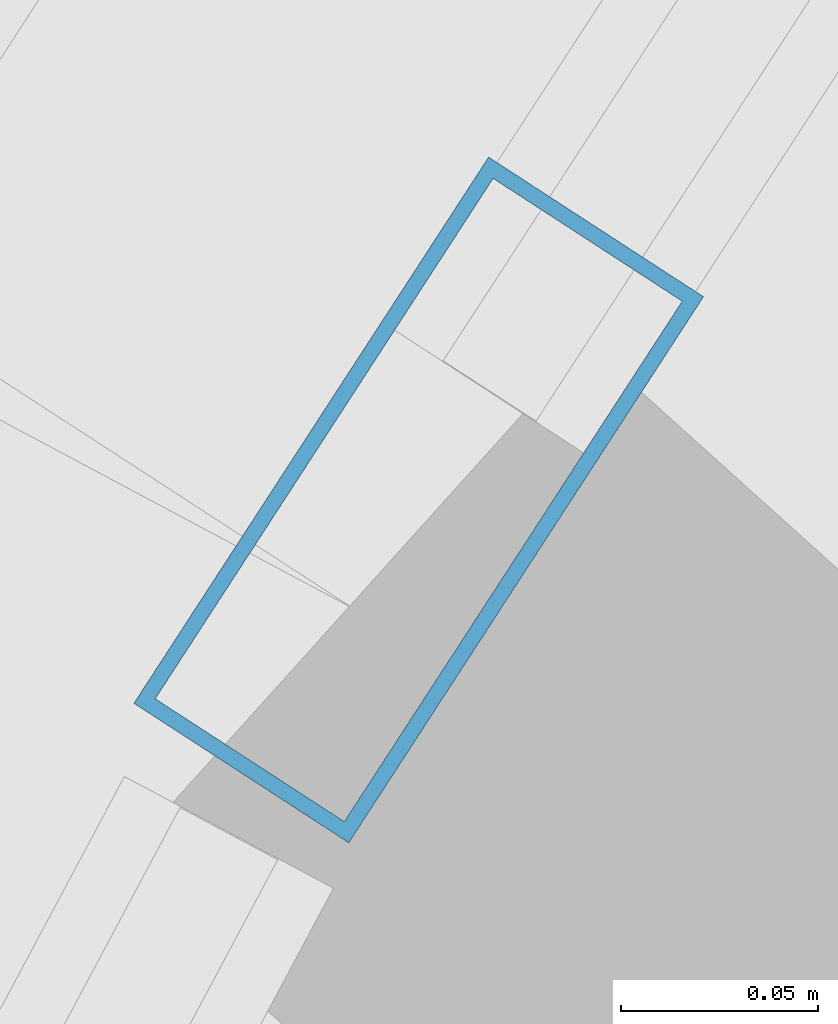
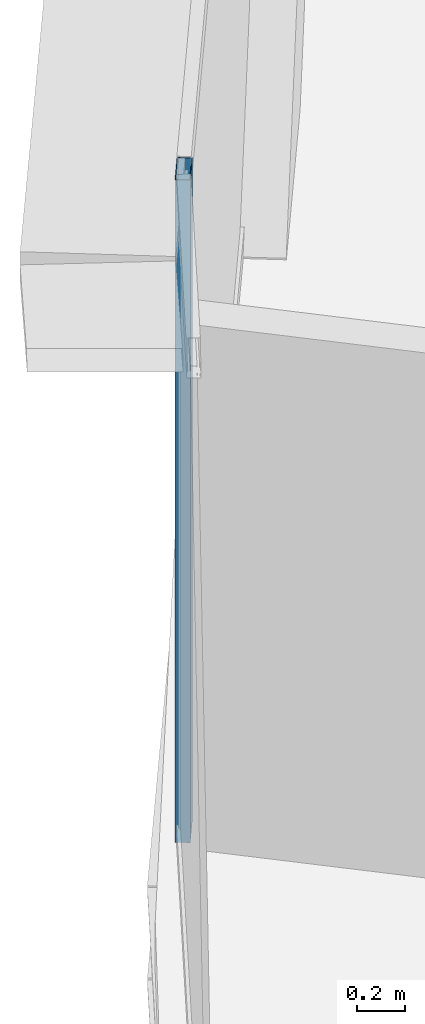
# One storey, part 15 of 38: 1 member, 1 element without a shape of its own.
"""IFC4 building model written with IfcOpenShell, lengths in metres."""

from ifc_helpers import new_model, si_unit, direction, frame, origin, origin_2d, place, context, subcontext, project, spatial, hollow_rectangle, extrude, source, transform, mapped, material, layer, layer_set, material_profile, profile_set, type_object, element, aggregate, save


model = new_model("IFC4")

# Units and contexts
model_context = context("Model", 3, precision=1e-05, world=origin(), true_north=direction((0.0, 1.0)))
body_context = subcontext(model_context, "Body", "Model", "MODEL_VIEW")
ifc_project = project(units=[si_unit("LENGTHUNIT", "METRE"), si_unit("AREAUNIT", "SQUARE_METRE"), si_unit("VOLUMEUNIT", "CUBIC_METRE"), si_unit("PLANEANGLEUNIT", "RADIAN"), si_unit("MASSUNIT", "GRAM", prefix="KILO"), si_unit("THERMODYNAMICTEMPERATUREUNIT", "KELVIN"), si_unit("POWERUNIT", "WATT")], contexts=[model_context])

# Site, building, storey
site_placement = place(None, origin())
site = spatial("IfcSite", under=ifc_project, at=site_placement, CompositionType="ELEMENT")
building_placement = place(site_placement, origin())
building = spatial("IfcBuilding", under=site, at=building_placement, Name="Yunzhuo Pagoda Commons", CompositionType="ELEMENT")
storey_placement = place(building_placement, frame((0.0, 0.0, 37.659912109375)))
storey = spatial("IfcBuildingStorey", under=building, at=storey_placement, Name="L09", CompositionType="ELEMENT", Elevation=37.659912109375)

# Curtain wall, member
ifc_material = material(Name="Anodized aluminium 6063-T6", Category="aluminium")
ifc_layer = layer(ifc_material, 0.1650390625)
ifc_layer_set = layer_set([ifc_layer], Name="Anodized aluminium 6063-T6")
curtain_wall_type = type_object("IfcCurtainWallType", Name="CW-LOW Low-Zone Ribbon Curtain Wall", PredefinedType="NOTDEFINED", material=ifc_layer_set)
curtain_wall_placement = place(storey_placement, origin())
curtain_wall = element("IfcCurtainWall", 1, at=curtain_wall_placement, inside=storey, type_object=curtain_wall_type, Name="L09 curtain wall CW-L09-F3B2", PredefinedType="NOTDEFINED")
ifc_material_profile = material_profile(ifc_material, hollow_rectangle(XDim=0.06494140625, YDim=0.1650390625, WallThickness=0.00390625, at=origin_2d()), Name="Anodized aluminium 6063-T6")
ifc_profile_set = profile_set([ifc_material_profile], Name="Anodized aluminium 6063-T6")
member_type = type_object("IfcMemberType", Name="CW-LOW-M Mullion RHS 165x65x4", PredefinedType="MULLION", material=ifc_profile_set)
shared_shape = source(origin(), body_context, "Body", "SweptSolid", [
    extrude(hollow_rectangle(XDim=0.06494140625, YDim=0.1650390625, WallThickness=0.00390625, at=origin_2d()), origin(), (0.0, 0.0, 1.0), 3.3701171875),
])
member_placement = place(storey_placement, frame((20.961181640625, 58.0888671875, 0.0), z_axis=(0.0, 0.0, 1.0), x_axis=(0.83865240069, -0.544667009114, 0.0)))
member = element("IfcMember", 2, at=member_placement, type_object=member_type, Name="CW mullion 2", PredefinedType="MULLION", context=body_context, shape_type="MappedRepresentation", body=[
    mapped(shared_shape, transform((0.0, 0.0, 0.0), scale=1.0)),
])
aggregate(curtain_wall, [member])

save(model, "model.ifc")
